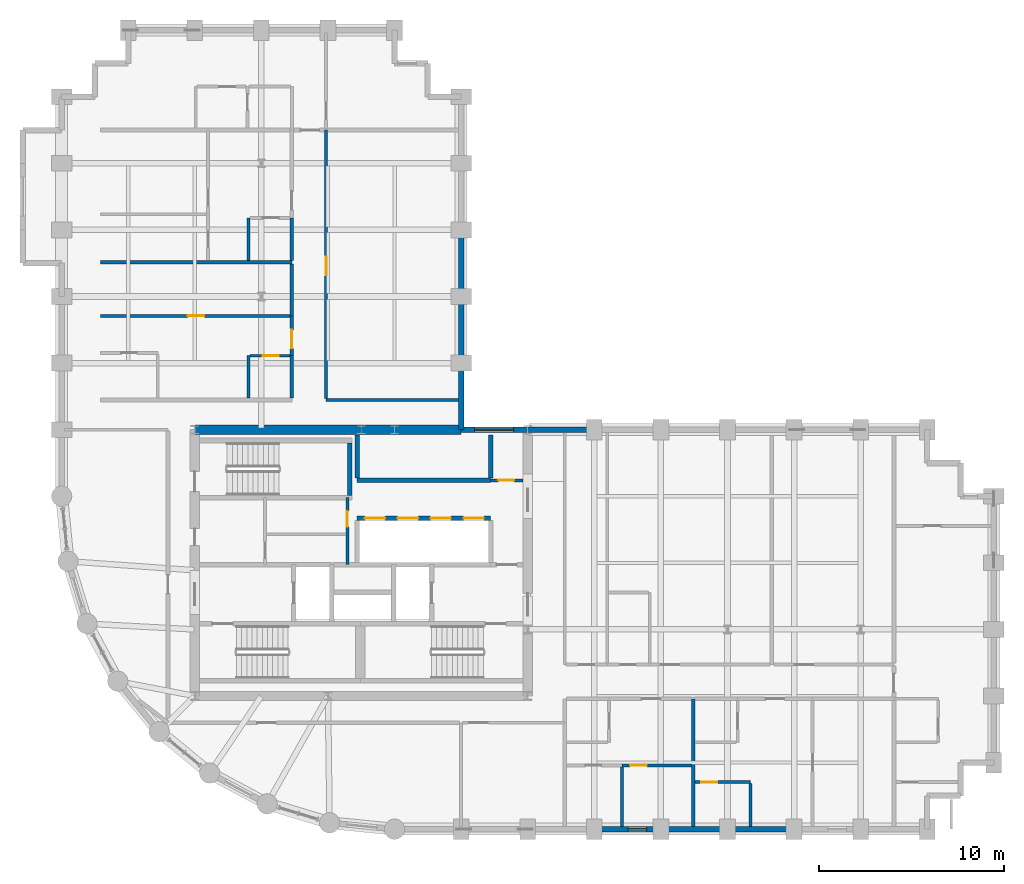
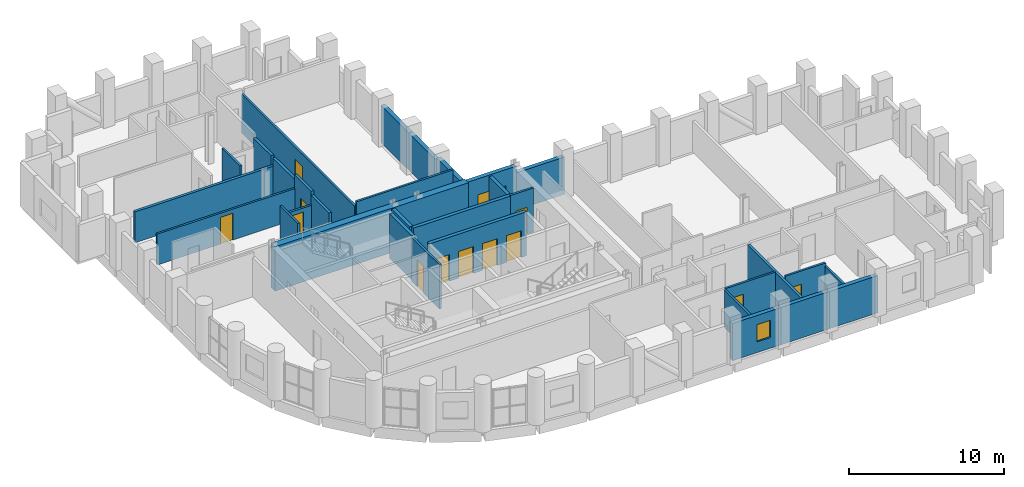
# One storey, part 9 of 13: 32 walls, 12 doors, 2 windows, 14 openings.
"""IFC4 building model written with IfcOpenShell, lengths in metres."""

from ifc_helpers import new_model, si_unit, direction, frame, frame_2d, origin, place, context, subcontext, project, spatial, rectangle, extrude, material, layer, layer_set, type_object, element, fill, save


model = new_model("IFC4")

# Units and contexts
model_context = context("Model", 3, precision=1e-05, world=origin(), true_north=direction((0.0, 1.0)))
body_context = subcontext(model_context, "Body", "Model", "MODEL_VIEW")
ifc_project = project(units=[si_unit("LENGTHUNIT", "METRE"), si_unit("AREAUNIT", "SQUARE_METRE"), si_unit("VOLUMEUNIT", "CUBIC_METRE"), si_unit("PLANEANGLEUNIT", "RADIAN"), si_unit("MASSUNIT", "GRAM", prefix="KILO")], contexts=[model_context])

# Site, building, storey
site_placement = place(None, origin())
site = spatial("IfcSite", under=ifc_project, at=site_placement, CompositionType="ELEMENT")
building_placement = place(site_placement, origin())
building = spatial("IfcBuilding", under=site, at=building_placement, Name="Solnavia Interchange Tower", CompositionType="ELEMENT")
storey_placement = place(building_placement, frame((0.0, 0.0, 123.800048828125)))
storey = spatial("IfcBuildingStorey", under=building, at=storey_placement, Name="L30", CompositionType="ELEMENT", Elevation=123.800048828125)

# Walls
ifc_material_1 = material(Name="Gypsum Acoustic Twin-Stud & Mineral Wool", Category="gypsum")
ifc_layer_1 = layer(ifc_material_1, 0.199951171875)
ifc_layer_set_1 = layer_set([ifc_layer_1], Name="Gypsum Acoustic Twin-Stud & Mineral Wool")
wall_type_1 = type_object("IfcWallType", Name="Wall-ApartmentParty-200", PredefinedType="PARTITIONING", material=ifc_layer_set_1)
wall_1_placement = place(storey_placement, frame((41.35009765625, 3.75390625, 0.0), z_axis=(0.0, 0.0, 1.0), x_axis=(0.0, 1.0, 0.0)))
element("IfcWall", 1, at=wall_1_placement, inside=storey, type_object=wall_type_1, Name="PTW-L30-14 Interior partition wall", PredefinedType="PARTITIONING", context=body_context, shape_type="SweptSolid", body=[
    extrude(rectangle(XDim=6.89599609375, YDim=0.199951171875, at=frame_2d((3.447998046875, 0.0))), origin(), (0.0, 0.0, 1.0), 2.929931640625),
])
wall_2_placement = place(storey_placement, frame((9.300048828125, 34.25, 0.0), z_axis=(0.0, 0.0, 1.0), x_axis=(1.0, 0.0, 0.0)))
element("IfcWall", 2, at=wall_2_placement, inside=storey, type_object=wall_type_1, Name="PTW-L30-43 Interior partition wall", PredefinedType="PARTITIONING", context=body_context, shape_type="SweptSolid", body=[
    extrude(rectangle(XDim=10.349853515625, YDim=0.199951171875, at=frame_2d((5.1748046875, 0.0))), origin(), (0.0, 0.0, 1.0), 2.429931640625),
])
wall_3_placement = place(storey_placement, frame((19.64990234375, 26.904052734375, 0.0), z_axis=(0.0, 0.0, 1.0), x_axis=(0.0, 1.0, 0.0)))
element("IfcWall", 3, at=wall_3_placement, inside=storey, type_object=wall_type_1, Name="PTW-L30-44 Interior partition wall", PredefinedType="PARTITIONING", context=body_context, shape_type="SweptSolid", body=[
    extrude(rectangle(XDim=2.2958984375, YDim=0.199951171875, at=frame_2d((1.14794921875, 0.0))), origin(), (0.0, 0.0, 1.0), 3.14990234375),
])

# Wall, opening, door
wall_4_placement = place(storey_placement, frame((19.64990234375, 29.199951171875, 0.0), z_axis=(0.0, 0.0, 1.0), x_axis=(0.0, 1.0, 0.0)))
wall_4 = element("IfcWall", 4, at=wall_4_placement, inside=storey, type_object=wall_type_1, Name="PTW-L30-47 Interior partition wall", PredefinedType="PARTITIONING", context=body_context, shape_type="SweptSolid", body=[
    extrude(rectangle(XDim=2.150146484375, YDim=0.199951171875, at=frame_2d((1.0751953125, 0.0))), origin(), (0.0, 0.0, 1.0), 3.46484375),
])
opening_1_placement = place(wall_4_placement, frame((0.39306640625, 0.0, 0.0)))
opening_1 = element("IfcOpeningElement", 5, at=opening_1_placement, cuts=wall_4, Name="Opening DR-06", PredefinedType="OPENING", context=body_context, shape_type="SweptSolid", body=[
    extrude(rectangle(XDim=1.0, YDim=2.10009765625, at=frame_2d((0.5, 1.050048828125))), frame((0.0, 0.10986328125, 0.0), z_axis=(0.0, -1.0, 0.0), x_axis=(1.0, 0.0, 0.0)), (0.0, 0.0, 1.0), 0.219970703125),
])
ifc_material_2 = material(Name="Engineered Timber Acoustic Fire Door", Category="wood")
door_type_1 = type_object("IfcDoorType", Name="Door-FlatEntry-1000x2100", OperationType="SINGLE_SWING_LEFT", PredefinedType="DOOR", material=ifc_material_2)
door_1_placement = place(opening_1_placement, origin())
door_1 = element("IfcDoor", 6, at=door_1_placement, inside=storey, type_object=door_type_1, Name="DR-L30-21 Interior room door", OperationType="SINGLE_SWING_RIGHT", OverallHeight=2.10009765625, OverallWidth=1.0, PredefinedType="DOOR", context=body_context, shape_type="SweptSolid", body=[
    extrude(rectangle(XDim=1.0, YDim=2.10009765625, at=frame_2d((0.5, 1.050048828125))), frame((0.0, 0.02490234375, 0.0), z_axis=(0.0, -1.0, 0.0), x_axis=(1.0, 0.0, 0.0)), (0.0, 0.0, 1.0), 0.050048828125),
])
fill(opening_1, door_1)

# Walls
wall_5_placement = place(storey_placement, frame((19.64990234375, 31.35009765625, 0.0), z_axis=(0.0, 0.0, 1.0), x_axis=(0.0, 1.0, 0.0)))
element("IfcWall", 7, at=wall_5_placement, inside=storey, type_object=wall_type_1, Name="PTW-L30-48 Interior partition wall", PredefinedType="PARTITIONING", context=body_context, shape_type="SweptSolid", body=[
    extrude(rectangle(XDim=2.7958984375, YDim=0.199951171875, at=frame_2d((1.39794921875, 0.0))), origin(), (0.0, 0.0, 1.0), 3.099853515625),
])
wall_6_placement = place(storey_placement, frame((19.64990234375, 34.35400390625, 0.0), z_axis=(0.0, 0.0, 1.0), x_axis=(0.0, 1.0, 0.0)))
element("IfcWall", 8, at=wall_6_placement, inside=storey, type_object=wall_type_1, Name="PTW-L30-52 Interior partition wall", PredefinedType="PARTITIONING", context=body_context, shape_type="SweptSolid", body=[
    extrude(rectangle(XDim=2.2958984375, YDim=0.199951171875, at=frame_2d((1.14794921875, 0.0))), origin(), (0.0, 0.0, 1.0), 3.14990234375),
])

# Wall, opening, window
ifc_material_3 = material(Name="Concrete C40/50", Category="concrete")
ifc_layer_2 = layer(ifc_material_3, 0.300048828125)
ifc_layer_set_2 = layer_set([ifc_layer_2], Name="Concrete C40/50")
wall_type_2 = type_object("IfcWallType", Name="Wall-ExtSpandrel-300", PredefinedType="STANDARD", material=ifc_layer_set_2)
wall_7_placement = place(storey_placement, frame((39.60009765625, 3.60009765625, 0.0), z_axis=(0.0, 0.0, 1.0), x_axis=(-1.0, 0.0, 0.0)))
wall_7 = element("IfcWall", 9, at=wall_7_placement, inside=storey, type_object=wall_type_2, Name="EXW-L30-04 Exterior precast spandrel wall", PredefinedType="STANDARD", context=body_context, shape_type="SweptSolid", body=[
    extrude(rectangle(XDim=3.60009765625, YDim=0.300048828125, at=frame_2d((1.800048828125, 0.0))), origin(), (0.0, 0.0, 1.0), 2.929931640625),
])
opening_2_placement = place(wall_7_placement, frame((0.76904296875, 0.0, 0.85009765625)))
opening_2 = element("IfcOpeningElement", 10, at=opening_2_placement, cuts=wall_7, Name="Opening WIN-07", PredefinedType="OPENING", context=body_context, shape_type="SweptSolid", body=[
    extrude(rectangle(XDim=1.0, YDim=1.35009765625, at=frame_2d((0.5, 0.675048828125))), frame((0.0, 0.16015625, 0.0), z_axis=(0.0, -1.0, 0.0), x_axis=(1.0, 0.0, 0.0)), (0.0, 0.0, 1.0), 0.320068359375),
])
ifc_material_4 = material(Name="Thermal-Break Aluminium & Low-E Glass", Category="aluminium")
window_type_1 = type_object("IfcWindowType", Name="Window-Bedroom-1000x1350", PartitioningType="SINGLE_PANEL", PredefinedType="WINDOW", material=ifc_material_4)
window_1_placement = place(opening_2_placement, origin())
window_1 = element("IfcWindow", 11, at=window_1_placement, inside=storey, type_object=window_type_1, Name="WIN-L30-DW01 Dwelling bedroom window", OverallHeight=1.35009765625, OverallWidth=1.0, PartitioningType="SINGLE_PANEL", PredefinedType="WINDOW", context=body_context, shape_type="SweptSolid", body=[
    extrude(rectangle(XDim=1.0, YDim=1.35009765625, at=frame_2d((0.5, 0.675048828125))), frame((0.0, 0.030029296875, 0.0), z_axis=(0.0, -1.0, 0.0), x_axis=(1.0, 0.0, 0.0)), (0.0, 0.0, 1.0), 0.06005859375),
])
fill(opening_2, window_1)

# Walls
wall_8_placement = place(storey_placement, frame((43.199951171875, 3.60009765625, 0.0), z_axis=(0.0, 0.0, 1.0), x_axis=(-1.0, 0.0, 0.0)))
element("IfcWall", 12, at=wall_8_placement, inside=storey, type_object=wall_type_2, Name="EXW-L30-05 Exterior precast spandrel wall", PredefinedType="STANDARD", context=body_context, shape_type="SweptSolid", body=[
    extrude(rectangle(XDim=3.599853515625, YDim=0.300048828125, at=frame_2d((1.7998046875, 0.0))), origin(), (0.0, 0.0, 1.0), 2.929931640625),
])
for number, where, z_axis, x_axis, name in (
    (13, (46.800048828125, 3.60009765625, 0.0), (0.0, 0.0, 1.0), (-1.0, 0.0, 0.0), "EXW-L30-06 Exterior precast spandrel wall"),
    (14, (32.39990234375, 25.199951171875, 0.0), (0.0, 0.0, 1.0), (1.0, 0.0, 0.0), "EXW-L30-26 Exterior precast spandrel wall"),
):
    element("IfcWall", number, at=place(storey_placement, frame(where, z_axis=z_axis, x_axis=x_axis)), inside=storey, type_object=wall_type_2, Name=name, PredefinedType="STANDARD", context=body_context, shape_type="SweptSolid", body=[
        extrude(rectangle(XDim=3.60009765625, YDim=0.300048828125, at=frame_2d((1.800048828125, 0.0))), origin(), (0.0, 0.0, 1.0), 2.929931640625),
    ])

# Wall, opening, window
wall_9_placement = place(storey_placement, frame((28.800048828125, 25.199951171875, 0.0), z_axis=(0.0, 0.0, 1.0), x_axis=(1.0, 0.0, 0.0)))
wall_9 = element("IfcWall", 15, at=wall_9_placement, inside=storey, type_object=wall_type_2, Name="EXW-L30-27 Exterior precast spandrel wall", PredefinedType="STANDARD", context=body_context, shape_type="SweptSolid", body=[
    extrude(rectangle(XDim=3.599853515625, YDim=0.300048828125, at=frame_2d((1.7998046875, 0.0))), origin(), (0.0, 0.0, 1.0), 3.46484375),
])
opening_3_placement = place(wall_9_placement, frame((0.73388671875, 0.0, 0.85009765625)))
opening_3 = element("IfcOpeningElement", 16, at=opening_3_placement, cuts=wall_9, Name="Opening WIN-01", PredefinedType="OPENING", context=body_context, shape_type="SweptSolid", body=[
    extrude(rectangle(XDim=2.10009765625, YDim=1.35009765625, at=frame_2d((1.050048828125, 0.675048828125))), frame((0.0, 0.16015625, 0.0), z_axis=(0.0, -1.0, 0.0), x_axis=(1.0, 0.0, 0.0)), (0.0, 0.0, 1.0), 0.320068359375),
])
window_type_2 = type_object("IfcWindowType", Name="Window-Ribbon-2100x1350", PartitioningType="SINGLE_PANEL", PredefinedType="WINDOW", material=ifc_material_4)
window_2_placement = place(opening_3_placement, origin())
window_2 = element("IfcWindow", 17, at=window_2_placement, inside=storey, type_object=window_type_2, Name="WIN-L30-27 Facade ribbon window", OverallHeight=1.35009765625, OverallWidth=2.10009765625, PartitioningType="SINGLE_PANEL", PredefinedType="WINDOW", context=body_context, shape_type="SweptSolid", body=[
    extrude(rectangle(XDim=2.10009765625, YDim=1.35009765625, at=frame_2d((1.050048828125, 0.675048828125))), frame((0.0, 0.030029296875, 0.0), z_axis=(0.0, -1.0, 0.0), x_axis=(1.0, 0.0, 0.0)), (0.0, 0.0, 1.0), 0.06005859375),
])
fill(opening_3, window_2)

# Walls
wall_10_placement = place(storey_placement, frame((28.800048828125, 28.800048828125, 0.0), z_axis=(0.0, 0.0, 1.0), x_axis=(0.0, -1.0, 0.0)))
element("IfcWall", 18, at=wall_10_placement, inside=storey, type_object=wall_type_2, Name="EXW-L30-28 Exterior precast spandrel wall", PredefinedType="STANDARD", context=body_context, shape_type="SweptSolid", body=[
    extrude(rectangle(XDim=3.60009765625, YDim=0.300048828125, at=frame_2d((1.800048828125, 0.0))), origin(), (0.0, 0.0, 1.0), 3.14990234375),
])
wall_11_placement = place(storey_placement, frame((28.800048828125, 32.39990234375, 0.0), z_axis=(0.0, 0.0, 1.0), x_axis=(0.0, -1.0, 0.0)))
element("IfcWall", 19, at=wall_11_placement, inside=storey, type_object=wall_type_2, Name="EXW-L30-29 Exterior precast spandrel wall", PredefinedType="STANDARD", context=body_context, shape_type="SweptSolid", body=[
    extrude(rectangle(XDim=3.599853515625, YDim=0.300048828125, at=frame_2d((1.7998046875, 0.0))), origin(), (0.0, 0.0, 1.0), 2.929931640625),
])
wall_12_placement = place(storey_placement, frame((28.800048828125, 36.0, 0.0), z_axis=(0.0, 0.0, 1.0), x_axis=(0.0, -1.0, 0.0)))
element("IfcWall", 20, at=wall_12_placement, inside=storey, type_object=wall_type_2, Name="EXW-L30-30 Exterior precast spandrel wall", PredefinedType="STANDARD", context=body_context, shape_type="SweptSolid", body=[
    extrude(rectangle(XDim=3.60009765625, YDim=0.300048828125, at=frame_2d((1.800048828125, 0.0))), origin(), (0.0, 0.0, 1.0), 2.929931640625),
])

# Wall, opening, door
ifc_material_5 = material(Name="Gypsum Plasterboard & Steel Stud", Category="steel")
ifc_layer_3 = layer(ifc_material_5, 0.14990234375)
ifc_layer_set_3 = layer_set([ifc_layer_3], Name="Gypsum Plasterboard & Steel Stud")
wall_type_3 = type_object("IfcWallType", Name="Wall-Partition-150", PredefinedType="PARTITIONING", material=ifc_layer_set_3)
wall_13_placement = place(storey_placement, frame((22.64990234375, 17.89990234375, 0.0), z_axis=(0.0, 0.0, 1.0), x_axis=(0.0, 1.0, 0.0)))
wall_13 = element("IfcWall", 21, at=wall_13_placement, inside=storey, type_object=wall_type_3, Name="CSW-L30-E Core shaft wall", PredefinedType="PARTITIONING", context=body_context, shape_type="SweptSolid", body=[
    extrude(rectangle(XDim=3.625, YDim=0.14990234375, at=frame_2d((1.8125, 0.0))), origin(), (0.0, 0.0, 1.0), 3.46484375),
])
opening_4_placement = place(wall_13_placement, frame((2.050048828125, 0.0, 0.0)))
opening_4 = element("IfcOpeningElement", 22, at=opening_4_placement, cuts=wall_13, Name="Opening DR-10", PredefinedType="OPENING", context=body_context, shape_type="SweptSolid", body=[
    extrude(rectangle(XDim=0.85009765625, YDim=2.10009765625, at=frame_2d((0.425048828125, 1.050048828125))), frame((0.0, 0.0849609375, 0.0), z_axis=(0.0, -1.0, 0.0), x_axis=(1.0, 0.0, 0.0)), (0.0, 0.0, 1.0), 0.169921875),
])
ifc_material_6 = material(Name="Moisture-Resistant Timber Door", Category="wood")
door_type_2 = type_object("IfcDoorType", Name="Door-Bathroom-850x2100", OperationType="SINGLE_SWING_RIGHT", PredefinedType="DOOR", material=ifc_material_6)
door_2_placement = place(opening_4_placement, origin())
door_2 = element("IfcDoor", 23, at=door_2_placement, inside=storey, type_object=door_type_2, Name="DR-L30-CS3 Core fire door", OperationType="SINGLE_SWING_LEFT", OverallHeight=2.10009765625, OverallWidth=0.85009765625, PredefinedType="DOOR", context=body_context, shape_type="SweptSolid", body=[
    extrude(rectangle(XDim=0.85009765625, YDim=2.10009765625, at=frame_2d((0.425048828125, 1.050048828125))), frame((0.0, 0.02490234375, 0.0), z_axis=(0.0, -1.0, 0.0), x_axis=(1.0, 0.0, 0.0)), (0.0, 0.0, 1.0), 0.050048828125),
])
fill(opening_4, door_2)

wall_14_placement = place(storey_placement, frame((30.39990234375, 22.4599609375, 0.0), z_axis=(0.0, 0.0, 1.0), x_axis=(1.0, 0.0, 0.0)))
wall_14 = element("IfcWall", 24, at=wall_14_placement, inside=storey, type_object=wall_type_3, Name="CSW-L30-NE-S Core shaft wall", PredefinedType="PARTITIONING", context=body_context, shape_type="SweptSolid", body=[
    extrude(rectangle(XDim=1.75, YDim=0.14990234375, at=frame_2d((0.875, 0.0))), origin(), (0.0, 0.0, 1.0), 3.46484375),
])
opening_5_placement = place(wall_14_placement, frame((0.419921875, 0.0, 0.0)))
opening_5 = element("IfcOpeningElement", 25, at=opening_5_placement, cuts=wall_14, Name="Opening DR-10", PredefinedType="OPENING", context=body_context, shape_type="SweptSolid", body=[
    extrude(rectangle(XDim=0.85009765625, YDim=2.10009765625, at=frame_2d((0.425048828125, 1.050048828125))), frame((0.0, 0.0849609375, 0.0), z_axis=(0.0, -1.0, 0.0), x_axis=(1.0, 0.0, 0.0)), (0.0, 0.0, 1.0), 0.169921875),
])
door_3_placement = place(opening_5_placement, origin())
door_3 = element("IfcDoor", 26, at=door_3_placement, inside=storey, type_object=door_type_2, Name="DR-L30-CS4 Core fire door", OperationType="SINGLE_SWING_RIGHT", OverallHeight=2.10009765625, OverallWidth=0.85009765625, PredefinedType="DOOR", context=body_context, shape_type="SweptSolid", body=[
    extrude(rectangle(XDim=0.85009765625, YDim=2.10009765625, at=frame_2d((0.425048828125, 1.050048828125))), frame((0.0, 0.02490234375, 0.0), z_axis=(0.0, -1.0, 0.0), x_axis=(1.0, 0.0, 0.0)), (0.0, 0.0, 1.0), 0.050048828125),
])
fill(opening_5, door_3)

wall_15_placement = place(storey_placement, frame((37.5, 7.050048828125, 0.0), z_axis=(0.0, 0.0, 1.0), x_axis=(1.0, 0.0, 0.0)))
wall_15 = element("IfcWall", 27, at=wall_15_placement, inside=storey, type_object=wall_type_3, Name="PTW-L30-19 Interior partition wall", PredefinedType="PARTITIONING", context=body_context, shape_type="SweptSolid", body=[
    extrude(rectangle(XDim=3.74609375, YDim=0.14990234375, at=frame_2d((1.873046875, 0.0))), origin(), (0.0, 0.0, 1.0), 3.010009765625),
])
opening_6_placement = place(wall_15_placement, frame((0.43994140625, 0.0, 0.0)))
opening_6 = element("IfcOpeningElement", 28, at=opening_6_placement, cuts=wall_15, Name="Opening DR-09", PredefinedType="OPENING", context=body_context, shape_type="SweptSolid", body=[
    extrude(rectangle(XDim=0.89990234375, YDim=2.10009765625, at=frame_2d((0.449951171875, 1.050048828125))), frame((0.0, 0.0849609375, 0.0), z_axis=(0.0, -1.0, 0.0), x_axis=(1.0, 0.0, 0.0)), (0.0, 0.0, 1.0), 0.169921875),
])
ifc_material_7 = material(Name="Engineered Oak Veneer Door", Category="wood")
door_type_3 = type_object("IfcDoorType", Name="Door-Internal-900x2100", OperationType="SINGLE_SWING_LEFT", PredefinedType="DOOR", material=ifc_material_7)
door_4_placement = place(opening_6_placement, origin())
door_4 = element("IfcDoor", 29, at=door_4_placement, inside=storey, type_object=door_type_3, Name="DR-L30-08 Interior room door", OperationType="SINGLE_SWING_RIGHT", OverallHeight=2.10009765625, OverallWidth=0.89990234375, PredefinedType="DOOR", context=body_context, shape_type="SweptSolid", body=[
    extrude(rectangle(XDim=0.89990234375, YDim=2.10009765625, at=frame_2d((0.449951171875, 1.050048828125))), frame((0.0, 0.02490234375, 0.0), z_axis=(0.0, -1.0, 0.0), x_axis=(1.0, 0.0, 0.0)), (0.0, 0.0, 1.0), 0.050048828125),
])
fill(opening_6, door_4)

wall_16_placement = place(storey_placement, frame((9.300048828125, 31.35009765625, 0.0), z_axis=(0.0, 0.0, 1.0), x_axis=(1.0, 0.0, 0.0)))
wall_16 = element("IfcWall", 30, at=wall_16_placement, inside=storey, type_object=wall_type_3, Name="PTW-L30-49 Interior partition wall", PredefinedType="PARTITIONING", context=body_context, shape_type="SweptSolid", body=[
    extrude(rectangle(XDim=10.245849609375, YDim=0.14990234375, at=frame_2d((5.123046875, 0.0))), origin(), (0.0, 0.0, 1.0), 2.429931640625),
])
opening_7_placement = place(wall_16_placement, frame((4.72509765625, 0.0, 0.0)))
opening_7 = element("IfcOpeningElement", 31, at=opening_7_placement, cuts=wall_16, Name="Opening DR-09", PredefinedType="OPENING", context=body_context, shape_type="SweptSolid", body=[
    extrude(rectangle(XDim=0.89990234375, YDim=2.10009765625, at=frame_2d((0.449951171875, 1.050048828125))), frame((0.0, 0.0849609375, 0.0), z_axis=(0.0, -1.0, 0.0), x_axis=(1.0, 0.0, 0.0)), (0.0, 0.0, 1.0), 0.169921875),
])
door_5_placement = place(opening_7_placement, origin())
door_5 = element("IfcDoor", 32, at=door_5_placement, inside=storey, type_object=door_type_3, Name="DR-L30-22 Interior room door", OperationType="SINGLE_SWING_LEFT", OverallHeight=2.10009765625, OverallWidth=0.89990234375, PredefinedType="DOOR", context=body_context, shape_type="SweptSolid", body=[
    extrude(rectangle(XDim=0.89990234375, YDim=2.10009765625, at=frame_2d((0.449951171875, 1.050048828125))), frame((0.0, 0.02490234375, 0.0), z_axis=(0.0, -1.0, 0.0), x_axis=(1.0, 0.0, 0.0)), (0.0, 0.0, 1.0), 0.050048828125),
])
fill(opening_7, door_5)

# Wall
wall_17_placement = place(storey_placement, frame((21.5, 26.800048828125, 0.0), z_axis=(0.0, 0.0, 1.0), x_axis=(1.0, 0.0, 0.0)))
element("IfcWall", 33, at=wall_17_placement, inside=storey, type_object=wall_type_3, Name="PTW-L30-59 Interior partition wall", PredefinedType="PARTITIONING", context=body_context, shape_type="SweptSolid", body=[
    extrude(rectangle(XDim=7.14599609375, YDim=0.14990234375, at=frame_2d((3.572998046875, 0.0))), origin(), (0.0, 0.0, 1.0), 3.46484375),
])

# Wall, opening, door
wall_18_placement = place(storey_placement, frame((21.5, 26.87890625, 0.0), z_axis=(0.0, 0.0, 1.0), x_axis=(0.0, 1.0, 0.0)))
wall_18 = element("IfcWall", 34, at=wall_18_placement, inside=storey, type_object=wall_type_3, Name="PTW-L30-60 Interior partition wall", PredefinedType="PARTITIONING", context=body_context, shape_type="SweptSolid", body=[
    extrude(rectangle(XDim=14.52099609375, YDim=0.14990234375, at=frame_2d((7.260498046875, 0.0))), origin(), (0.0, 0.0, 1.0), 3.06005859375),
])
opening_8_placement = place(wall_18_placement, frame((6.680908203125, 0.0, 0.0)))
opening_8 = element("IfcOpeningElement", 35, at=opening_8_placement, cuts=wall_18, Name="Opening DR-07", PredefinedType="OPENING", context=body_context, shape_type="SweptSolid", body=[
    extrude(rectangle(XDim=1.0, YDim=2.10009765625, at=frame_2d((0.5, 1.050048828125))), frame((0.0, 0.0849609375, 0.0), z_axis=(0.0, -1.0, 0.0), x_axis=(1.0, 0.0, 0.0)), (0.0, 0.0, 1.0), 0.169921875),
])
ifc_material_8 = material(Name="Timber & Acoustic Glazed Office Door", Category="wood")
door_type_4 = type_object("IfcDoorType", Name="Door-Office-1000x2100", OperationType="SINGLE_SWING_RIGHT", PredefinedType="DOOR", material=ifc_material_8)
door_6_placement = place(opening_8_placement, origin())
door_6 = element("IfcDoor", 36, at=door_6_placement, inside=storey, type_object=door_type_4, Name="DR-L30-28 Interior room door", OperationType="SINGLE_SWING_LEFT", OverallHeight=2.10009765625, OverallWidth=1.0, PredefinedType="DOOR", context=body_context, shape_type="SweptSolid", body=[
    extrude(rectangle(XDim=1.0, YDim=2.10009765625, at=frame_2d((0.5, 1.050048828125))), frame((0.0, 0.02490234375, 0.0), z_axis=(0.0, -1.0, 0.0), x_axis=(1.0, 0.0, 0.0)), (0.0, 0.0, 1.0), 0.050048828125),
])
fill(opening_8, door_6)

# Wall
ifc_layer_4 = layer(ifc_material_3, 0.25)
ifc_layer_set_4 = layer_set([ifc_layer_4], Name="Concrete C40/50")
wall_type_4 = type_object("IfcWallType", Name="Wall-ShaftCore-250", PredefinedType="SHEAR", material=ifc_layer_set_4)
wall_19_placement = place(storey_placement, frame((22.77490234375, 21.64990234375, 0.0), z_axis=(0.0, 0.0, 1.0), x_axis=(0.0, 1.0, 0.0)))
element("IfcWall", 37, at=wall_19_placement, inside=storey, type_object=wall_type_4, Name="SHW-L30-ST3E Core shear wall", PredefinedType="SHEAR", context=body_context, shape_type="SweptSolid", body=[
    extrude(rectangle(XDim=2.840087890625, YDim=0.25, at=frame_2d((1.419921875, 0.0))), origin(), (0.0, 0.0, 1.0), 3.47998046875),
])

# Wall, openings, doors
ifc_layer_5 = layer(ifc_material_3, 0.25)
ifc_layer_set_5 = layer_set([ifc_layer_5], Name="Concrete C40/50")
wall_type_5 = type_object("IfcWallType", Name="Wall-ShaftPart-250", PredefinedType="PARTITIONING", material=ifc_layer_set_5)
wall_20_placement = place(storey_placement, frame((23.179931640625, 20.419921875, 0.0), z_axis=(0.0, 0.0, 1.0), x_axis=(1.0, 0.0, 0.0)))
wall_20 = element("IfcWall", 38, at=wall_20_placement, inside=storey, type_object=wall_type_5, Name="SHW-L30-B2N Core shaft wall", PredefinedType="PARTITIONING", context=body_context, shape_type="SweptSolid", body=[
    extrude(rectangle(XDim=7.219970703125, YDim=0.25, at=frame_2d((3.60986328125, 0.0))), origin(), (0.0, 0.0, 1.0), 3.46484375),
])
opening_9_placement = place(wall_20_placement, frame((0.409912109375, 0.0, 0.0)))
opening_9 = element("IfcOpeningElement", 39, at=opening_9_placement, cuts=wall_20, Name="Opening LD-01", PredefinedType="OPENING", context=body_context, shape_type="SweptSolid", body=[
    extrude(rectangle(XDim=1.10009765625, YDim=2.10009765625, at=frame_2d((0.550048828125, 1.050048828125))), frame((0.0, 0.135009765625, 0.0), z_axis=(0.0, -1.0, 0.0), x_axis=(1.0, 0.0, 0.0)), (0.0, 0.0, 1.0), 0.27001953125),
])
opening_10_placement = place(wall_20_placement, frame((2.18994140625, 0.0, 0.0)))
opening_10 = element("IfcOpeningElement", 40, at=opening_10_placement, cuts=wall_20, Name="Opening LD-01", PredefinedType="OPENING", context=body_context, shape_type="SweptSolid", body=[
    extrude(rectangle(XDim=1.10009765625, YDim=2.10009765625, at=frame_2d((0.550048828125, 1.050048828125))), frame((0.0, 0.135009765625, 0.0), z_axis=(0.0, -1.0, 0.0), x_axis=(1.0, 0.0, 0.0)), (0.0, 0.0, 1.0), 0.27001953125),
])
opening_11_placement = place(wall_20_placement, frame((3.969970703125, 0.0, 0.0)))
opening_11 = element("IfcOpeningElement", 41, at=opening_11_placement, cuts=wall_20, Name="Opening LD-01", PredefinedType="OPENING", context=body_context, shape_type="SweptSolid", body=[
    extrude(rectangle(XDim=1.10009765625, YDim=2.10009765625, at=frame_2d((0.550048828125, 1.050048828125))), frame((0.0, 0.135009765625, 0.0), z_axis=(0.0, -1.0, 0.0), x_axis=(1.0, 0.0, 0.0)), (0.0, 0.0, 1.0), 0.27001953125),
])
opening_12_placement = place(wall_20_placement, frame((5.75, 0.0, 0.0)))
opening_12 = element("IfcOpeningElement", 42, at=opening_12_placement, cuts=wall_20, Name="Opening LD-01", PredefinedType="OPENING", context=body_context, shape_type="SweptSolid", body=[
    extrude(rectangle(XDim=1.10009765625, YDim=2.10009765625, at=frame_2d((0.550048828125, 1.050048828125))), frame((0.0, 0.135009765625, 0.0), z_axis=(0.0, -1.0, 0.0), x_axis=(1.0, 0.0, 0.0)), (0.0, 0.0, 1.0), 0.27001953125),
])
ifc_material_9 = material(Name="Brushed Stainless Steel Sliding Door", Category="steel")
door_type_5 = type_object("IfcDoorType", Name="Door-LiftLanding-1100x2100", OperationType="SLIDING_TO_LEFT", PredefinedType="DOOR", material=ifc_material_9)
door_7_placement = place(opening_9_placement, origin())
door_7 = element("IfcDoor", 43, at=door_7_placement, inside=storey, type_object=door_type_5, Name="LD-L30-B2-1 Lift landing sliding door", OperationType="SLIDING_TO_LEFT", OverallHeight=2.10009765625, OverallWidth=1.10009765625, PredefinedType="DOOR", context=body_context, shape_type="SweptSolid", body=[
    extrude(rectangle(XDim=1.10009765625, YDim=2.10009765625, at=frame_2d((0.550048828125, 1.050048828125))), frame((0.0, 0.02490234375, 0.0), z_axis=(0.0, -1.0, 0.0), x_axis=(1.0, 0.0, 0.0)), (0.0, 0.0, 1.0), 0.050048828125),
])
fill(opening_9, door_7)
door_8_placement = place(opening_10_placement, origin())
door_8 = element("IfcDoor", 44, at=door_8_placement, inside=storey, type_object=door_type_5, Name="LD-L30-B2-2 Lift landing sliding door", OperationType="SLIDING_TO_LEFT", OverallHeight=2.10009765625, OverallWidth=1.10009765625, PredefinedType="DOOR", context=body_context, shape_type="SweptSolid", body=[
    extrude(rectangle(XDim=1.10009765625, YDim=2.10009765625, at=frame_2d((0.550048828125, 1.050048828125))), frame((0.0, 0.02490234375, 0.0), z_axis=(0.0, -1.0, 0.0), x_axis=(1.0, 0.0, 0.0)), (0.0, 0.0, 1.0), 0.050048828125),
])
fill(opening_10, door_8)
door_9_placement = place(opening_11_placement, origin())
door_9 = element("IfcDoor", 45, at=door_9_placement, inside=storey, type_object=door_type_5, Name="LD-L30-B2-3 Lift landing sliding door", OperationType="SLIDING_TO_LEFT", OverallHeight=2.10009765625, OverallWidth=1.10009765625, PredefinedType="DOOR", context=body_context, shape_type="SweptSolid", body=[
    extrude(rectangle(XDim=1.10009765625, YDim=2.10009765625, at=frame_2d((0.550048828125, 1.050048828125))), frame((0.0, 0.02490234375, 0.0), z_axis=(0.0, -1.0, 0.0), x_axis=(1.0, 0.0, 0.0)), (0.0, 0.0, 1.0), 0.050048828125),
])
fill(opening_11, door_9)
door_10_placement = place(opening_12_placement, origin())
door_10 = element("IfcDoor", 46, at=door_10_placement, inside=storey, type_object=door_type_5, Name="LD-L30-B2-4 Lift landing sliding door", OperationType="SLIDING_TO_LEFT", OverallHeight=2.10009765625, OverallWidth=1.10009765625, PredefinedType="DOOR", context=body_context, shape_type="SweptSolid", body=[
    extrude(rectangle(XDim=1.10009765625, YDim=2.10009765625, at=frame_2d((0.550048828125, 1.050048828125))), frame((0.0, 0.02490234375, 0.0), z_axis=(0.0, -1.0, 0.0), x_axis=(1.0, 0.0, 0.0)), (0.0, 0.0, 1.0), 0.050048828125),
])
fill(opening_12, door_10)

# Walls
wall_21_placement = place(storey_placement, frame((23.179931640625, 22.4599609375, 0.0), z_axis=(0.0, 0.0, 1.0), x_axis=(1.0, 0.0, 0.0)))
element("IfcWall", 47, at=wall_21_placement, inside=storey, type_object=wall_type_5, Name="SHW-L30-B3S Core shaft wall", PredefinedType="PARTITIONING", context=body_context, shape_type="SweptSolid", body=[
    extrude(rectangle(XDim=7.219970703125, YDim=0.25, at=frame_2d((3.60986328125, 0.0))), origin(), (0.0, 0.0, 1.0), 3.46484375),
])
for number, where, z_axis, x_axis, name in (
    (48, (23.179931640625, 22.5849609375, 0.0), (0.0, 0.0, 1.0), (0.0, 1.0, 0.0), "SHW-L30-B3W Core shaft wall"),
    (49, (30.39990234375, 22.5849609375, 0.0), (0.0, 0.0, 1.0), (0.0, 1.0, 0.0), "SHW-L30-B3E Core shaft wall"),
):
    element("IfcWall", number, at=place(storey_placement, frame(where, z_axis=z_axis, x_axis=x_axis)), inside=storey, type_object=wall_type_5, Name=name, PredefinedType="PARTITIONING", context=body_context, shape_type="SweptSolid", body=[
        extrude(rectangle(XDim=2.31494140625, YDim=0.25, at=frame_2d((1.157470703125, 0.0))), origin(), (0.0, 0.0, 1.0), 3.46484375),
    ])
ifc_material_10 = material(Name="Concrete C60/75", Category="concrete")
ifc_layer_6 = layer(ifc_material_10, 0.5)
ifc_layer_set_6 = layer_set([ifc_layer_6], Name="Concrete C60/75")
wall_type_6 = type_object("IfcWallType", Name="Wall-ShearCore-500", PredefinedType="SHEAR", material=ifc_layer_set_6)
wall_22_placement = place(storey_placement, frame((14.39990234375, 25.199951171875, 0.0), z_axis=(0.0, 0.0, 1.0), x_axis=(1.0, 0.0, 0.0)))
element("IfcWall", 50, at=wall_22_placement, inside=storey, type_object=wall_type_6, Name="CRW-L30-N Core shear wall", PredefinedType="SHEAR", context=body_context, shape_type="SweptSolid", body=[
    extrude(rectangle(XDim=14.400146484375, YDim=0.5, at=frame_2d((7.2001953125, 0.0))), origin(), (0.0, 0.0, 1.0), 3.47998046875),
])
ifc_material_11 = material(Name="Moisture-Resistant Gypsum & Steel Stud", Category="steel")
ifc_layer_7 = layer(ifc_material_11, 0.14990234375)
ifc_layer_set_7 = layer_set([ifc_layer_7], Name="Moisture-Resistant Gypsum & Steel Stud")
wall_type_7 = type_object("IfcWallType", Name="Wall-WetRoom-150", PredefinedType="PARTITIONING", material=ifc_layer_set_7)
wall_23_placement = place(storey_placement, frame((37.5, 3.75390625, 0.0), z_axis=(0.0, 0.0, 1.0), x_axis=(0.0, 1.0, 0.0)))
element("IfcWall", 51, at=wall_23_placement, inside=storey, type_object=wall_type_7, Name="PTW-L30-21 Interior partition wall", PredefinedType="PARTITIONING", context=body_context, shape_type="SweptSolid", body=[
    extrude(rectangle(XDim=3.217041015625, YDim=0.14990234375, at=frame_2d((1.6083984375, 0.0))), origin(), (0.0, 0.0, 1.0), 2.929931640625),
])

# Wall, opening, door
wall_24_placement = place(storey_placement, frame((41.4541015625, 6.14990234375, 0.0), z_axis=(0.0, 0.0, 1.0), x_axis=(1.0, 0.0, 0.0)))
wall_24 = element("IfcWall", 52, at=wall_24_placement, inside=storey, type_object=wall_type_7, Name="PTW-L30-28 Interior partition wall", PredefinedType="PARTITIONING", context=body_context, shape_type="SweptSolid", body=[
    extrude(rectangle(XDim=2.995849609375, YDim=0.14990234375, at=frame_2d((1.498046875, 0.0))), origin(), (0.0, 0.0, 1.0), 3.14990234375),
])
opening_13_placement = place(wall_24_placement, frame((0.3330078125, 0.0, 0.0)))
opening_13 = element("IfcOpeningElement", 53, at=opening_13_placement, cuts=wall_24, Name="Opening DR-10", PredefinedType="OPENING", context=body_context, shape_type="SweptSolid", body=[
    extrude(rectangle(XDim=0.85009765625, YDim=2.10009765625, at=frame_2d((0.425048828125, 1.050048828125))), frame((0.0, 0.0849609375, 0.0), z_axis=(0.0, -1.0, 0.0), x_axis=(1.0, 0.0, 0.0)), (0.0, 0.0, 1.0), 0.169921875),
])
door_11_placement = place(opening_13_placement, origin())
door_11 = element("IfcDoor", 54, at=door_11_placement, inside=storey, type_object=door_type_2, Name="DR-L30-13 Interior room door", OperationType="SINGLE_SWING_LEFT", OverallHeight=2.10009765625, OverallWidth=0.85009765625, PredefinedType="DOOR", context=body_context, shape_type="SweptSolid", body=[
    extrude(rectangle(XDim=0.85009765625, YDim=2.10009765625, at=frame_2d((0.425048828125, 1.050048828125))), frame((0.0, 0.02490234375, 0.0), z_axis=(0.0, -1.0, 0.0), x_axis=(1.0, 0.0, 0.0)), (0.0, 0.0, 1.0), 0.050048828125),
])
fill(opening_13, door_11)

# Walls
wall_25_placement = place(storey_placement, frame((44.449951171875, 3.75390625, 0.0), z_axis=(0.0, 0.0, 1.0), x_axis=(0.0, 1.0, 0.0)))
element("IfcWall", 55, at=wall_25_placement, inside=storey, type_object=wall_type_7, Name="PTW-L30-29 Interior partition wall", PredefinedType="PARTITIONING", context=body_context, shape_type="SweptSolid", body=[
    extrude(rectangle(XDim=2.317138671875, YDim=0.14990234375, at=frame_2d((1.15869140625, 0.0))), origin(), (0.0, 0.0, 1.0), 2.929931640625),
])
wall_26_placement = place(storey_placement, frame((17.300048828125, 26.904052734375, 0.0), z_axis=(0.0, 0.0, 1.0), x_axis=(0.0, 1.0, 0.0)))
element("IfcWall", 56, at=wall_26_placement, inside=storey, type_object=wall_type_7, Name="PTW-L30-45 Interior partition wall", PredefinedType="PARTITIONING", context=body_context, shape_type="SweptSolid", body=[
    extrude(rectangle(XDim=2.2958984375, YDim=0.14990234375, at=frame_2d((1.14794921875, 0.0))), origin(), (0.0, 0.0, 1.0), 3.14990234375),
])

# Wall, opening, door
wall_27_placement = place(storey_placement, frame((17.37890625, 29.199951171875, 0.0), z_axis=(0.0, 0.0, 1.0), x_axis=(1.0, 0.0, 0.0)))
wall_27 = element("IfcWall", 57, at=wall_27_placement, inside=storey, type_object=wall_type_7, Name="PTW-L30-46 Interior partition wall", PredefinedType="PARTITIONING", context=body_context, shape_type="SweptSolid", body=[
    extrude(rectangle(XDim=2.1669921875, YDim=0.14990234375, at=frame_2d((1.08349609375, 0.0))), origin(), (0.0, 0.0, 1.0), 2.429931640625),
])
opening_14_placement = place(wall_27_placement, frame((0.700927734375, 0.0, 0.0)))
opening_14 = element("IfcOpeningElement", 58, at=opening_14_placement, cuts=wall_27, Name="Opening DR-10", PredefinedType="OPENING", context=body_context, shape_type="SweptSolid", body=[
    extrude(rectangle(XDim=0.85009765625, YDim=2.10009765625, at=frame_2d((0.425048828125, 1.050048828125))), frame((0.0, 0.0849609375, 0.0), z_axis=(0.0, -1.0, 0.0), x_axis=(1.0, 0.0, 0.0)), (0.0, 0.0, 1.0), 0.169921875),
])
door_12_placement = place(opening_14_placement, origin())
door_12 = element("IfcDoor", 59, at=door_12_placement, inside=storey, type_object=door_type_2, Name="DR-L30-20 Interior room door", OperationType="SINGLE_SWING_RIGHT", OverallHeight=2.10009765625, OverallWidth=0.85009765625, PredefinedType="DOOR", context=body_context, shape_type="SweptSolid", body=[
    extrude(rectangle(XDim=0.85009765625, YDim=2.10009765625, at=frame_2d((0.425048828125, 1.050048828125))), frame((0.0, 0.02490234375, 0.0), z_axis=(0.0, -1.0, 0.0), x_axis=(1.0, 0.0, 0.0)), (0.0, 0.0, 1.0), 0.050048828125),
])
fill(opening_14, door_12)

# Wall
wall_28_placement = place(storey_placement, frame((17.300048828125, 34.35400390625, 0.0), z_axis=(0.0, 0.0, 1.0), x_axis=(0.0, 1.0, 0.0)))
element("IfcWall", 60, at=wall_28_placement, inside=storey, type_object=wall_type_7, Name="PTW-L30-53 Interior partition wall", PredefinedType="PARTITIONING", context=body_context, shape_type="SweptSolid", body=[
    extrude(rectangle(XDim=2.2958984375, YDim=0.14990234375, at=frame_2d((1.14794921875, 0.0))), origin(), (0.0, 0.0, 1.0), 3.14990234375),
])

save(model, "model.ifc")
